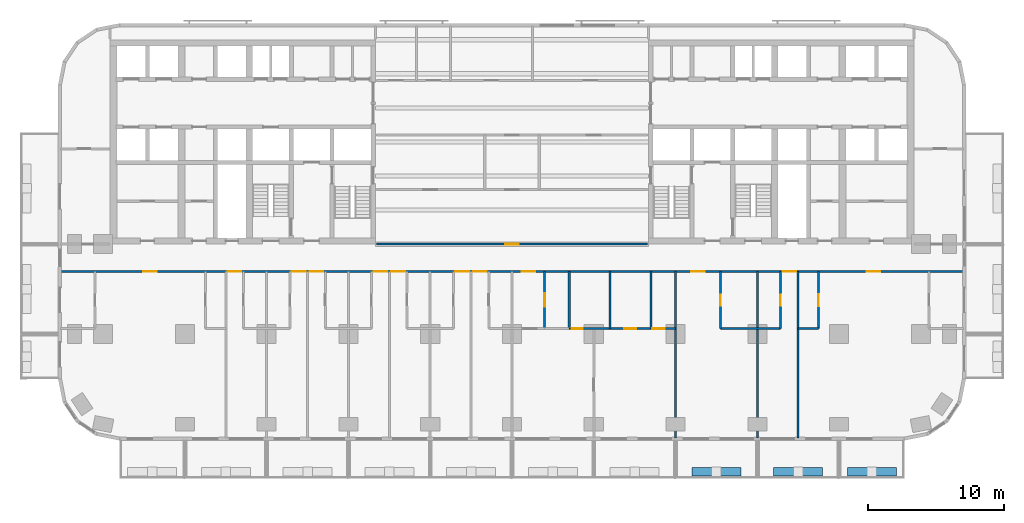
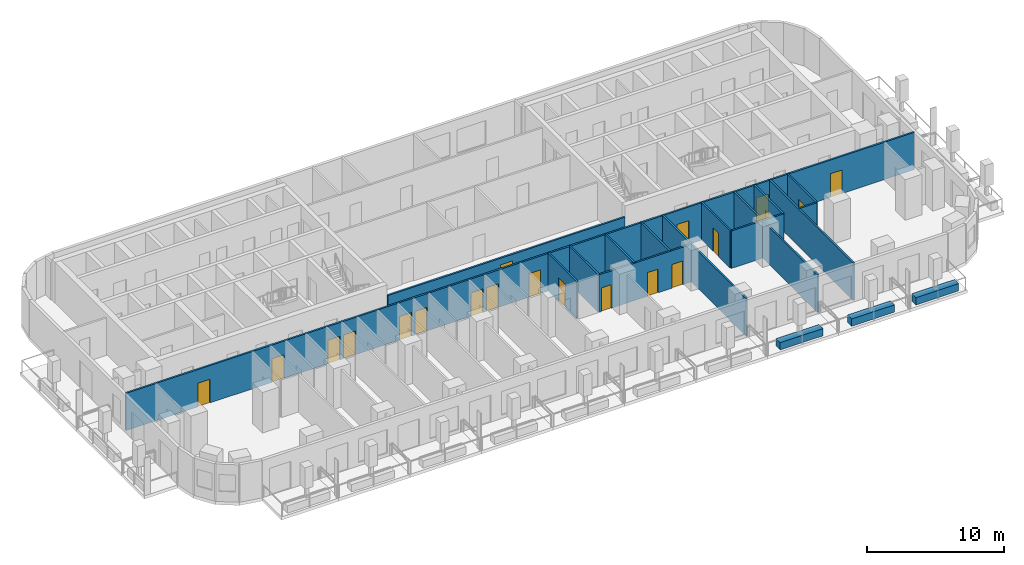
# One storey, part 6 of 14: 20 doors, 18 walls, 20 openings.
"""IFC4 building model written with IfcOpenShell, lengths in metres."""

from ifc_helpers import new_model, si_unit, direction, frame, frame_2d, origin, place, context, subcontext, project, spatial, rectangle, extrude, material, layer, layer_set, type_object, element, fill, save


model = new_model("IFC4")

# Units and contexts
model_context = context("Model", 3, precision=1e-05, world=origin(), true_north=direction((0.0, 1.0)))
body_context = subcontext(model_context, "Body", "Model", "MODEL_VIEW")
ifc_project = project(units=[si_unit("LENGTHUNIT", "METRE"), si_unit("AREAUNIT", "SQUARE_METRE"), si_unit("VOLUMEUNIT", "CUBIC_METRE"), si_unit("PLANEANGLEUNIT", "RADIAN"), si_unit("MASSUNIT", "GRAM", prefix="KILO")], contexts=[model_context])

# Site, building, storey
site_placement = place(None, origin())
site = spatial("IfcSite", under=ifc_project, at=site_placement, CompositionType="ELEMENT")
building_placement = place(site_placement, origin())
building = spatial("IfcBuilding", under=site, at=building_placement, Name="Torana Hotel and Residences", CompositionType="ELEMENT")
storey_placement = place(building_placement, frame((0.0, 0.0, 63.60009765625)))
storey = spatial("IfcBuildingStorey", under=building, at=storey_placement, Name="L15", CompositionType="ELEMENT", Elevation=63.60009765625)

# Wall, opening, door
ifc_material_1 = material(Name="Gypsum plaster")
ifc_layer_1 = layer(ifc_material_1, 0.014892578125, Name="Plaster", Category="finish")
ifc_material_2 = material(Name="Concrete blockwork", Category="masonry")
ifc_layer_2 = layer(ifc_material_2, 0.1201171875, Name="Blockwork", Category="structure")
ifc_layer_3 = layer(ifc_material_1, 0.014892578125, Name="Plaster", Category="finish")
ifc_layer_set_1 = layer_set([ifc_layer_1, ifc_layer_2, ifc_layer_3], Name="FIRE PARTITION 150 BLOCKWORK")
wall_type_1 = type_object("IfcWallType", Name="FIRE PARTITION 150 BLOCKWORK", PredefinedType="PARTITIONING", material=ifc_layer_set_1)
wall_1_placement = place(storey_placement, frame((2.39990234375, -21.199951171875, 0.0), z_axis=(0.0, 0.0, 1.0), x_axis=(0.0, 1.0, 0.0)))
wall_1 = element("IfcWall", 1, at=wall_1_placement, inside=storey, type_object=wall_type_1, Name="Partition L15", PredefinedType="PARTITIONING", context=body_context, shape_type="SweptSolid", body=[
    extrude(rectangle(XDim=4.199951171875, YDim=0.14990234375, at=frame_2d((2.10009765625, 0.0))), origin(), (0.0, 0.0, 1.0), 3.31982421875),
])
opening_1_placement = place(wall_1_placement, frame((1.60009765625, 0.0, 0.0)))
opening_1 = element("IfcOpeningElement", 2, at=opening_1_placement, cuts=wall_1, Name="Opening L15-69", PredefinedType="OPENING", context=body_context, shape_type="SweptSolid", body=[
    extrude(rectangle(XDim=1.0, YDim=2.10009765625, at=frame_2d((0.5, 1.050048828125))), frame((0.0, 0.0849609375, 0.0), z_axis=(0.0, -1.0, 0.0), x_axis=(1.0, 0.0, 0.0)), (0.0, 0.0, 1.0), 0.169921875),
])
ifc_material_3 = material(Name="Steel S235", Category="steel")
door_type_1 = type_object("IfcDoorType", Name="ENTRY FIRE DOOR D6 1000x2100", OperationType="SINGLE_SWING_LEFT", PredefinedType="DOOR", material=ifc_material_3)
door_1_placement = place(opening_1_placement, frame((0.5, 0.0, 0.0), z_axis=(0.0, 0.0, 1.0), x_axis=(-1.0, 0.0, 0.0)))
door_1 = element("IfcDoor", 3, at=door_1_placement, inside=storey, type_object=door_type_1, Name="Door L15", OperationType="SINGLE_SWING_LEFT", OverallHeight=2.10009765625, OverallWidth=1.0, PredefinedType="DOOR", context=body_context, shape_type="SweptSolid", body=[
    extrude(rectangle(XDim=1.0, YDim=2.10009765625, at=frame_2d((0.0, 1.050048828125))), frame((0.0, -0.02490234375, 0.0), z_axis=(0.0, 1.0, 0.0), x_axis=(-1.0, 0.0, 0.0)), (0.0, 0.0, 1.0), 0.050048828125),
])
fill(opening_1, door_1)

# Wall, openings, doors
wall_2_placement = place(storey_placement, frame((-33.1201171875, -17.0, 0.0), z_axis=(0.0, 0.0, 1.0), x_axis=(1.0, 0.0, 0.0)))
wall_2 = element("IfcWall", 4, at=wall_2_placement, inside=storey, type_object=wall_type_1, Name="Partition L15", PredefinedType="PARTITIONING", context=body_context, shape_type="SweptSolid", body=[
    extrude(rectangle(XDim=66.240234375, YDim=0.14990234375, at=frame_2d((33.1201171875, 0.0))), origin(), (0.0, 0.0, 1.0), 3.31982421875),
])
opening_2_placement = place(wall_2_placement, frame((12.27001953125, 0.0, 0.0)))
opening_2 = element("IfcOpeningElement", 5, at=opening_2_placement, cuts=wall_2, Name="Opening L15-40", PredefinedType="OPENING", context=body_context, shape_type="SweptSolid", body=[
    extrude(rectangle(XDim=1.0, YDim=2.10009765625, at=frame_2d((0.5, 1.050048828125))), frame((0.0, 0.0849609375, 0.0), z_axis=(0.0, -1.0, 0.0), x_axis=(1.0, 0.0, 0.0)), (0.0, 0.0, 1.0), 0.169921875),
])
opening_3_placement = place(wall_2_placement, frame((16.969970703125, 0.0, 0.0)))
opening_3 = element("IfcOpeningElement", 6, at=opening_3_placement, cuts=wall_2, Name="Opening L15-41", PredefinedType="OPENING", context=body_context, shape_type="SweptSolid", body=[
    extrude(rectangle(XDim=1.0, YDim=2.10009765625, at=frame_2d((0.5, 1.050048828125))), frame((0.0, 0.0849609375, 0.0), z_axis=(0.0, -1.0, 0.0), x_axis=(1.0, 0.0, 0.0)), (0.0, 0.0, 1.0), 0.169921875),
])
opening_4_placement = place(wall_2_placement, frame((18.27001953125, 0.0, 0.0)))
opening_4 = element("IfcOpeningElement", 7, at=opening_4_placement, cuts=wall_2, Name="Opening L15-42", PredefinedType="OPENING", context=body_context, shape_type="SweptSolid", body=[
    extrude(rectangle(XDim=1.0, YDim=2.10009765625, at=frame_2d((0.5, 1.050048828125))), frame((0.0, 0.0849609375, 0.0), z_axis=(0.0, -1.0, 0.0), x_axis=(1.0, 0.0, 0.0)), (0.0, 0.0, 1.0), 0.169921875),
])
opening_5_placement = place(wall_2_placement, frame((22.969970703125, 0.0, 0.0)))
opening_5 = element("IfcOpeningElement", 8, at=opening_5_placement, cuts=wall_2, Name="Opening L15-43", PredefinedType="OPENING", context=body_context, shape_type="SweptSolid", body=[
    extrude(rectangle(XDim=1.0, YDim=2.10009765625, at=frame_2d((0.5, 1.050048828125))), frame((0.0, 0.0849609375, 0.0), z_axis=(0.0, -1.0, 0.0), x_axis=(1.0, 0.0, 0.0)), (0.0, 0.0, 1.0), 0.169921875),
])
opening_6_placement = place(wall_2_placement, frame((24.27001953125, 0.0, 0.0)))
opening_6 = element("IfcOpeningElement", 9, at=opening_6_placement, cuts=wall_2, Name="Opening L15-44", PredefinedType="OPENING", context=body_context, shape_type="SweptSolid", body=[
    extrude(rectangle(XDim=1.0, YDim=2.10009765625, at=frame_2d((0.5, 1.050048828125))), frame((0.0, 0.0849609375, 0.0), z_axis=(0.0, -1.0, 0.0), x_axis=(1.0, 0.0, 0.0)), (0.0, 0.0, 1.0), 0.169921875),
])
opening_7_placement = place(wall_2_placement, frame((28.969970703125, 0.0, 0.0)))
opening_7 = element("IfcOpeningElement", 10, at=opening_7_placement, cuts=wall_2, Name="Opening L15-45", PredefinedType="OPENING", context=body_context, shape_type="SweptSolid", body=[
    extrude(rectangle(XDim=1.0, YDim=2.10009765625, at=frame_2d((0.5, 1.050048828125))), frame((0.0, 0.0849609375, 0.0), z_axis=(0.0, -1.0, 0.0), x_axis=(1.0, 0.0, 0.0)), (0.0, 0.0, 1.0), 0.169921875),
])
opening_8_placement = place(wall_2_placement, frame((30.27001953125, 0.0, 0.0)))
opening_8 = element("IfcOpeningElement", 11, at=opening_8_placement, cuts=wall_2, Name="Opening L15-46", PredefinedType="OPENING", context=body_context, shape_type="SweptSolid", body=[
    extrude(rectangle(XDim=1.0, YDim=2.10009765625, at=frame_2d((0.5, 1.050048828125))), frame((0.0, 0.0849609375, 0.0), z_axis=(0.0, -1.0, 0.0), x_axis=(1.0, 0.0, 0.0)), (0.0, 0.0, 1.0), 0.169921875),
])
opening_9_placement = place(wall_2_placement, frame((33.820068359375, 0.0, 0.0)))
opening_9 = element("IfcOpeningElement", 12, at=opening_9_placement, cuts=wall_2, Name="Opening L15-47", PredefinedType="OPENING", context=body_context, shape_type="SweptSolid", body=[
    extrude(rectangle(XDim=1.0, YDim=2.10009765625, at=frame_2d((0.5, 1.050048828125))), frame((0.0, 0.0849609375, 0.0), z_axis=(0.0, -1.0, 0.0), x_axis=(1.0, 0.0, 0.0)), (0.0, 0.0, 1.0), 0.169921875),
])
opening_10_placement = place(wall_2_placement, frame((46.27001953125, 0.0, 0.0)))
opening_10 = element("IfcOpeningElement", 13, at=opening_10_placement, cuts=wall_2, Name="Opening L15-48", PredefinedType="OPENING", context=body_context, shape_type="SweptSolid", body=[
    extrude(rectangle(XDim=1.0, YDim=2.10009765625, at=frame_2d((0.5, 1.050048828125))), frame((0.0, 0.0849609375, 0.0), z_axis=(0.0, -1.0, 0.0), x_axis=(1.0, 0.0, 0.0)), (0.0, 0.0, 1.0), 0.169921875),
])
opening_11_placement = place(wall_2_placement, frame((52.969970703125, 0.0, 0.0)))
opening_11 = element("IfcOpeningElement", 14, at=opening_11_placement, cuts=wall_2, Name="Opening L15-49", PredefinedType="OPENING", context=body_context, shape_type="SweptSolid", body=[
    extrude(rectangle(XDim=1.0, YDim=2.10009765625, at=frame_2d((0.5, 1.050048828125))), frame((0.0, 0.0849609375, 0.0), z_axis=(0.0, -1.0, 0.0), x_axis=(1.0, 0.0, 0.0)), (0.0, 0.0, 1.0), 0.169921875),
])
opening_12_placement = place(wall_2_placement, frame((6.050048828125, 0.0, 0.0)))
opening_12 = element("IfcOpeningElement", 15, at=opening_12_placement, cuts=wall_2, Name="Opening L15-50", PredefinedType="OPENING", context=body_context, shape_type="SweptSolid", body=[
    extrude(rectangle(XDim=1.0, YDim=2.10009765625, at=frame_2d((0.5, 1.050048828125))), frame((0.0, 0.0849609375, 0.0), z_axis=(0.0, -1.0, 0.0), x_axis=(1.0, 0.0, 0.0)), (0.0, 0.0, 1.0), 0.169921875),
])
opening_13_placement = place(wall_2_placement, frame((59.14990234375, 0.0, 0.0)))
opening_13 = element("IfcOpeningElement", 16, at=opening_13_placement, cuts=wall_2, Name="Opening L15-51", PredefinedType="OPENING", context=body_context, shape_type="SweptSolid", body=[
    extrude(rectangle(XDim=1.0, YDim=2.10009765625, at=frame_2d((0.5, 1.050048828125))), frame((0.0, 0.0849609375, 0.0), z_axis=(0.0, -1.0, 0.0), x_axis=(1.0, 0.0, 0.0)), (0.0, 0.0, 1.0), 0.169921875),
])
door_2_placement = place(opening_2_placement, frame((0.5, 0.0, 0.0), z_axis=(0.0, 0.0, 1.0), x_axis=(-1.0, 0.0, 0.0)))
door_2 = element("IfcDoor", 17, at=door_2_placement, inside=storey, type_object=door_type_1, Name="Door L15", OperationType="SINGLE_SWING_LEFT", OverallHeight=2.10009765625, OverallWidth=1.0, PredefinedType="DOOR", context=body_context, shape_type="SweptSolid", body=[
    extrude(rectangle(XDim=1.0, YDim=2.10009765625, at=frame_2d((0.0, 1.050048828125))), frame((0.0, -0.02490234375, 0.0), z_axis=(0.0, 1.0, 0.0), x_axis=(-1.0, 0.0, 0.0)), (0.0, 0.0, 1.0), 0.050048828125),
])
fill(opening_2, door_2)
door_3_placement = place(opening_3_placement, frame((0.5, 0.0, 0.0), z_axis=(0.0, 0.0, 1.0), x_axis=(-1.0, 0.0, 0.0)))
door_3 = element("IfcDoor", 18, at=door_3_placement, inside=storey, type_object=door_type_1, Name="Door L15", OperationType="SINGLE_SWING_LEFT", OverallHeight=2.10009765625, OverallWidth=1.0, PredefinedType="DOOR", context=body_context, shape_type="SweptSolid", body=[
    extrude(rectangle(XDim=1.0, YDim=2.10009765625, at=frame_2d((0.0, 1.050048828125))), frame((0.0, -0.02490234375, 0.0), z_axis=(0.0, 1.0, 0.0), x_axis=(-1.0, 0.0, 0.0)), (0.0, 0.0, 1.0), 0.050048828125),
])
fill(opening_3, door_3)
door_4_placement = place(opening_4_placement, frame((0.5, 0.0, 0.0), z_axis=(0.0, 0.0, 1.0), x_axis=(-1.0, 0.0, 0.0)))
door_4 = element("IfcDoor", 19, at=door_4_placement, inside=storey, type_object=door_type_1, Name="Door L15", OperationType="SINGLE_SWING_LEFT", OverallHeight=2.10009765625, OverallWidth=1.0, PredefinedType="DOOR", context=body_context, shape_type="SweptSolid", body=[
    extrude(rectangle(XDim=1.0, YDim=2.10009765625, at=frame_2d((0.0, 1.050048828125))), frame((0.0, -0.02490234375, 0.0), z_axis=(0.0, 1.0, 0.0), x_axis=(-1.0, 0.0, 0.0)), (0.0, 0.0, 1.0), 0.050048828125),
])
fill(opening_4, door_4)
door_5_placement = place(opening_5_placement, frame((0.5, 0.0, 0.0), z_axis=(0.0, 0.0, 1.0), x_axis=(-1.0, 0.0, 0.0)))
door_5 = element("IfcDoor", 20, at=door_5_placement, inside=storey, type_object=door_type_1, Name="Door L15", OperationType="SINGLE_SWING_LEFT", OverallHeight=2.10009765625, OverallWidth=1.0, PredefinedType="DOOR", context=body_context, shape_type="SweptSolid", body=[
    extrude(rectangle(XDim=1.0, YDim=2.10009765625, at=frame_2d((0.0, 1.050048828125))), frame((0.0, -0.02490234375, 0.0), z_axis=(0.0, 1.0, 0.0), x_axis=(-1.0, 0.0, 0.0)), (0.0, 0.0, 1.0), 0.050048828125),
])
fill(opening_5, door_5)
door_6_placement = place(opening_6_placement, frame((0.5, 0.0, 0.0), z_axis=(0.0, 0.0, 1.0), x_axis=(-1.0, 0.0, 0.0)))
door_6 = element("IfcDoor", 21, at=door_6_placement, inside=storey, type_object=door_type_1, Name="Door L15", OperationType="SINGLE_SWING_LEFT", OverallHeight=2.10009765625, OverallWidth=1.0, PredefinedType="DOOR", context=body_context, shape_type="SweptSolid", body=[
    extrude(rectangle(XDim=1.0, YDim=2.10009765625, at=frame_2d((0.0, 1.050048828125))), frame((0.0, -0.02490234375, 0.0), z_axis=(0.0, 1.0, 0.0), x_axis=(-1.0, 0.0, 0.0)), (0.0, 0.0, 1.0), 0.050048828125),
])
fill(opening_6, door_6)
door_7_placement = place(opening_7_placement, frame((0.5, 0.0, 0.0), z_axis=(0.0, 0.0, 1.0), x_axis=(-1.0, 0.0, 0.0)))
door_7 = element("IfcDoor", 22, at=door_7_placement, inside=storey, type_object=door_type_1, Name="Door L15", OperationType="SINGLE_SWING_LEFT", OverallHeight=2.10009765625, OverallWidth=1.0, PredefinedType="DOOR", context=body_context, shape_type="SweptSolid", body=[
    extrude(rectangle(XDim=1.0, YDim=2.10009765625, at=frame_2d((0.0, 1.050048828125))), frame((0.0, -0.02490234375, 0.0), z_axis=(0.0, 1.0, 0.0), x_axis=(-1.0, 0.0, 0.0)), (0.0, 0.0, 1.0), 0.050048828125),
])
fill(opening_7, door_7)
door_8_placement = place(opening_8_placement, frame((0.5, 0.0, 0.0), z_axis=(0.0, 0.0, 1.0), x_axis=(-1.0, 0.0, 0.0)))
door_8 = element("IfcDoor", 23, at=door_8_placement, inside=storey, type_object=door_type_1, Name="Door L15", OperationType="SINGLE_SWING_LEFT", OverallHeight=2.10009765625, OverallWidth=1.0, PredefinedType="DOOR", context=body_context, shape_type="SweptSolid", body=[
    extrude(rectangle(XDim=1.0, YDim=2.10009765625, at=frame_2d((0.0, 1.050048828125))), frame((0.0, -0.02490234375, 0.0), z_axis=(0.0, 1.0, 0.0), x_axis=(-1.0, 0.0, 0.0)), (0.0, 0.0, 1.0), 0.050048828125),
])
fill(opening_8, door_8)
door_9_placement = place(opening_9_placement, origin())
door_9 = element("IfcDoor", 24, at=door_9_placement, inside=storey, type_object=door_type_1, Name="Door L15", OperationType="SINGLE_SWING_RIGHT", OverallHeight=2.10009765625, OverallWidth=1.0, PredefinedType="DOOR", context=body_context, shape_type="SweptSolid", body=[
    extrude(rectangle(XDim=1.0, YDim=2.10009765625, at=frame_2d((0.5, 1.050048828125))), frame((0.0, 0.02490234375, 0.0), z_axis=(0.0, -1.0, 0.0), x_axis=(1.0, 0.0, 0.0)), (0.0, 0.0, 1.0), 0.050048828125),
])
fill(opening_9, door_9)
door_10_placement = place(opening_10_placement, frame((0.5, 0.0, 0.0), z_axis=(0.0, 0.0, 1.0), x_axis=(-1.0, 0.0, 0.0)))
door_10 = element("IfcDoor", 25, at=door_10_placement, inside=storey, type_object=door_type_1, Name="Door L15", OperationType="SINGLE_SWING_LEFT", OverallHeight=2.10009765625, OverallWidth=1.0, PredefinedType="DOOR", context=body_context, shape_type="SweptSolid", body=[
    extrude(rectangle(XDim=1.0, YDim=2.10009765625, at=frame_2d((0.0, 1.050048828125))), frame((0.0, -0.02490234375, 0.0), z_axis=(0.0, 1.0, 0.0), x_axis=(-1.0, 0.0, 0.0)), (0.0, 0.0, 1.0), 0.050048828125),
])
fill(opening_10, door_10)
door_11_placement = place(opening_11_placement, frame((0.5, 0.0, 0.0), z_axis=(0.0, 0.0, 1.0), x_axis=(-1.0, 0.0, 0.0)))
door_11 = element("IfcDoor", 26, at=door_11_placement, inside=storey, type_object=door_type_1, Name="Door L15", OperationType="SINGLE_SWING_LEFT", OverallHeight=2.10009765625, OverallWidth=1.0, PredefinedType="DOOR", context=body_context, shape_type="SweptSolid", body=[
    extrude(rectangle(XDim=1.0, YDim=2.10009765625, at=frame_2d((0.0, 1.050048828125))), frame((0.0, -0.02490234375, 0.0), z_axis=(0.0, 1.0, 0.0), x_axis=(-1.0, 0.0, 0.0)), (0.0, 0.0, 1.0), 0.050048828125),
])
fill(opening_11, door_11)
door_12_placement = place(opening_12_placement, frame((0.5, 0.0, 0.0), z_axis=(0.0, 0.0, 1.0), x_axis=(-1.0, 0.0, 0.0)))
door_12 = element("IfcDoor", 27, at=door_12_placement, inside=storey, type_object=door_type_1, Name="Door L15", OperationType="SINGLE_SWING_LEFT", OverallHeight=2.10009765625, OverallWidth=1.0, PredefinedType="DOOR", context=body_context, shape_type="SweptSolid", body=[
    extrude(rectangle(XDim=1.0, YDim=2.10009765625, at=frame_2d((0.0, 1.050048828125))), frame((0.0, -0.02490234375, 0.0), z_axis=(0.0, 1.0, 0.0), x_axis=(-1.0, 0.0, 0.0)), (0.0, 0.0, 1.0), 0.050048828125),
])
fill(opening_12, door_12)
door_13_placement = place(opening_13_placement, frame((0.5, 0.0, 0.0), z_axis=(0.0, 0.0, 1.0), x_axis=(-1.0, 0.0, 0.0)))
door_13 = element("IfcDoor", 28, at=door_13_placement, inside=storey, type_object=door_type_1, Name="Door L15", OperationType="SINGLE_SWING_LEFT", OverallHeight=2.10009765625, OverallWidth=1.0, PredefinedType="DOOR", context=body_context, shape_type="SweptSolid", body=[
    extrude(rectangle(XDim=1.0, YDim=2.10009765625, at=frame_2d((0.0, 1.050048828125))), frame((0.0, -0.02490234375, 0.0), z_axis=(0.0, 1.0, 0.0), x_axis=(-1.0, 0.0, 0.0)), (0.0, 0.0, 1.0), 0.050048828125),
])
fill(opening_13, door_13)

# Wall, opening, door
wall_3_placement = place(storey_placement, frame((-9.949951171875, -15.0, 0.0), z_axis=(0.0, 0.0, 1.0), x_axis=(1.0, 0.0, 0.0)))
wall_3 = element("IfcWall", 29, at=wall_3_placement, inside=storey, type_object=wall_type_1, Name="Partition L15", PredefinedType="PARTITIONING", context=body_context, shape_type="SweptSolid", body=[
    extrude(rectangle(XDim=19.89990234375, YDim=0.14990234375, at=frame_2d((9.949951171875, 0.0))), origin(), (0.0, 0.0, 1.0), 2.683837890625),
])
opening_14_placement = place(wall_3_placement, frame((9.449951171875, 0.0, 0.0)))
opening_14 = element("IfcOpeningElement", 30, at=opening_14_placement, cuts=wall_3, Name="Opening L15-39", PredefinedType="OPENING", context=body_context, shape_type="SweptSolid", body=[
    extrude(rectangle(XDim=1.0, YDim=2.10009765625, at=frame_2d((0.5, 1.050048828125))), frame((0.0, 0.0849609375, 0.0), z_axis=(0.0, -1.0, 0.0), x_axis=(1.0, 0.0, 0.0)), (0.0, 0.0, 1.0), 0.169921875),
])
door_14_placement = place(opening_14_placement, origin())
door_14 = element("IfcDoor", 31, at=door_14_placement, inside=storey, type_object=door_type_1, Name="Door L15", OperationType="SINGLE_SWING_RIGHT", OverallHeight=2.10009765625, OverallWidth=1.0, PredefinedType="DOOR", context=body_context, shape_type="SweptSolid", body=[
    extrude(rectangle(XDim=1.0, YDim=2.10009765625, at=frame_2d((0.5, 1.050048828125))), frame((0.0, 0.02490234375, 0.0), z_axis=(0.0, -1.0, 0.0), x_axis=(1.0, 0.0, 0.0)), (0.0, 0.0, 1.0), 0.050048828125),
])
fill(opening_14, door_14)

ifc_material_4 = material(Name="Gypsum plasterboard")
ifc_layer_4 = layer(ifc_material_4, 0.012451171875, Name="Plasterboard", Category="finish")
ifc_layer_5 = layer(ifc_material_4, 0.012451171875, Name="Plasterboard", Category="finish")
ifc_material_5 = material(Name="Steel S280GD", Category="steel")
ifc_layer_6 = layer(ifc_material_5, 0.10009765625, Name="Steel studs with mineral wool", Category="insulation")
ifc_layer_7 = layer(ifc_material_4, 0.012451171875, Name="Plasterboard", Category="finish")
ifc_layer_8 = layer(ifc_material_4, 0.012451171875, Name="Plasterboard", Category="finish")
ifc_layer_set_2 = layer_set([ifc_layer_4, ifc_layer_5, ifc_layer_6, ifc_layer_7, ifc_layer_8], Name="PARTITION 150 PLASTERBOARD")
wall_type_2 = type_object("IfcWallType", Name="PARTITION 150 PLASTERBOARD", PredefinedType="PARTITIONING", material=ifc_layer_set_2)
wall_4_placement = place(storey_placement, frame((22.5, -21.199951171875, 0.0), z_axis=(0.0, 0.0, 1.0), x_axis=(0.0, 1.0, 0.0)))
wall_4 = element("IfcWall", 32, at=wall_4_placement, inside=storey, type_object=wall_type_2, Name="Partition L15", PredefinedType="PARTITIONING", context=body_context, shape_type="SweptSolid", body=[
    extrude(rectangle(XDim=4.199951171875, YDim=0.14990234375, at=frame_2d((2.10009765625, 0.0))), origin(), (0.0, 0.0, 1.0), 3.31982421875),
])
opening_15_placement = place(wall_4_placement, frame((1.6298828125, 0.0, 0.0)))
opening_15 = element("IfcOpeningElement", 33, at=opening_15_placement, cuts=wall_4, Name="Opening L15-79", PredefinedType="OPENING", context=body_context, shape_type="SweptSolid", body=[
    extrude(rectangle(XDim=0.89990234375, YDim=2.10009765625, at=frame_2d((0.449951171875, 1.050048828125))), frame((0.0, 0.0849609375, 0.0), z_axis=(0.0, -1.0, 0.0), x_axis=(1.0, 0.0, 0.0)), (0.0, 0.0, 1.0), 0.169921875),
])
ifc_material_6 = material(Name="Timber door, oiled ash", Category="wood")
door_type_2 = type_object("IfcDoorType", Name="ROOM DOOR D7 900x2100", OperationType="SINGLE_SWING_LEFT", PredefinedType="DOOR", material=ifc_material_6)
door_15_placement = place(opening_15_placement, origin())
door_15 = element("IfcDoor", 34, at=door_15_placement, inside=storey, type_object=door_type_2, Name="Door L15", OperationType="SINGLE_SWING_RIGHT", OverallHeight=2.10009765625, OverallWidth=0.89990234375, PredefinedType="DOOR", context=body_context, shape_type="SweptSolid", body=[
    extrude(rectangle(XDim=0.89990234375, YDim=2.10009765625, at=frame_2d((0.449951171875, 1.050048828125))), frame((0.0, 0.02490234375, 0.0), z_axis=(0.0, -1.0, 0.0), x_axis=(1.0, 0.0, 0.0)), (0.0, 0.0, 1.0), 0.050048828125),
])
fill(opening_15, door_15)

# Wall
wall_5_placement = place(storey_placement, frame((21.0, -29.219970703125, 0.0), z_axis=(0.0, 0.0, 1.0), x_axis=(0.0, 1.0, 0.0)))
element("IfcWall", 35, at=wall_5_placement, inside=storey, type_object=wall_type_2, Name="Partition L15", PredefinedType="PARTITIONING", context=body_context, shape_type="SweptSolid", body=[
    extrude(rectangle(XDim=12.219970703125, YDim=0.14990234375, at=frame_2d((6.10986328125, 0.0))), origin(), (0.0, 0.0, 1.0), 3.31982421875),
])

# Wall, opening, door
wall_6_placement = place(storey_placement, frame((19.699951171875, -21.199951171875, 0.0), z_axis=(0.0, 0.0, 1.0), x_axis=(0.0, 1.0, 0.0)))
wall_6 = element("IfcWall", 36, at=wall_6_placement, inside=storey, type_object=wall_type_2, Name="Partition L15", PredefinedType="PARTITIONING", context=body_context, shape_type="SweptSolid", body=[
    extrude(rectangle(XDim=4.199951171875, YDim=0.14990234375, at=frame_2d((2.10009765625, 0.0))), origin(), (0.0, 0.0, 1.0), 3.31982421875),
])
opening_16_placement = place(wall_6_placement, frame((1.679931640625, 0.0, 0.0)))
opening_16 = element("IfcOpeningElement", 37, at=opening_16_placement, cuts=wall_6, Name="Opening L15-76", PredefinedType="OPENING", context=body_context, shape_type="SweptSolid", body=[
    extrude(rectangle(XDim=0.800048828125, YDim=2.10009765625, at=frame_2d((0.39990234375, 1.050048828125))), frame((0.0, 0.0849609375, 0.0), z_axis=(0.0, -1.0, 0.0), x_axis=(1.0, 0.0, 0.0)), (0.0, 0.0, 1.0), 0.169921875),
])
ifc_material_7 = material(Name="Timber door, painted", Category="wood")
door_type_3 = type_object("IfcDoorType", Name="BATH DOOR D13 800x2100", OperationType="SINGLE_SWING_LEFT", PredefinedType="DOOR", material=ifc_material_7)
door_16_placement = place(opening_16_placement, origin())
door_16 = element("IfcDoor", 38, at=door_16_placement, inside=storey, type_object=door_type_3, Name="Door L15", OperationType="SINGLE_SWING_RIGHT", OverallHeight=2.10009765625, OverallWidth=0.800048828125, PredefinedType="DOOR", context=body_context, shape_type="SweptSolid", body=[
    extrude(rectangle(XDim=0.800048828125, YDim=2.10009765625, at=frame_2d((0.39990234375, 1.050048828125))), frame((0.0, 0.02490234375, 0.0), z_axis=(0.0, -1.0, 0.0), x_axis=(1.0, 0.0, 0.0)), (0.0, 0.0, 1.0), 0.050048828125),
])
fill(opening_16, door_16)

# Wall
wall_7_placement = place(storey_placement, frame((18.0, -29.219970703125, 0.0), z_axis=(0.0, 0.0, 1.0), x_axis=(0.0, 1.0, 0.0)))
element("IfcWall", 39, at=wall_7_placement, inside=storey, type_object=wall_type_2, Name="Partition L15", PredefinedType="PARTITIONING", context=body_context, shape_type="SweptSolid", body=[
    extrude(rectangle(XDim=12.219970703125, YDim=0.14990234375, at=frame_2d((6.10986328125, 0.0))), origin(), (0.0, 0.0, 1.0), 3.31982421875),
])

# Wall, opening, door
wall_8_placement = place(storey_placement, frame((15.300048828125, -21.199951171875, 0.0), z_axis=(0.0, 0.0, 1.0), x_axis=(0.0, 1.0, 0.0)))
wall_8 = element("IfcWall", 40, at=wall_8_placement, inside=storey, type_object=wall_type_2, Name="Partition L15", PredefinedType="PARTITIONING", context=body_context, shape_type="SweptSolid", body=[
    extrude(rectangle(XDim=4.199951171875, YDim=0.14990234375, at=frame_2d((2.10009765625, 0.0))), origin(), (0.0, 0.0, 1.0), 3.31982421875),
])
opening_17_placement = place(wall_8_placement, frame((1.699951171875, 0.0, 0.0)))
opening_17 = element("IfcOpeningElement", 41, at=opening_17_placement, cuts=wall_8, Name="Opening L15-75", PredefinedType="OPENING", context=body_context, shape_type="SweptSolid", body=[
    extrude(rectangle(XDim=0.800048828125, YDim=2.10009765625, at=frame_2d((0.39990234375, 1.050048828125))), frame((0.0, 0.0849609375, 0.0), z_axis=(0.0, -1.0, 0.0), x_axis=(1.0, 0.0, 0.0)), (0.0, 0.0, 1.0), 0.169921875),
])
door_17_placement = place(opening_17_placement, origin())
door_17 = element("IfcDoor", 42, at=door_17_placement, inside=storey, type_object=door_type_3, Name="Door L15", OperationType="SINGLE_SWING_RIGHT", OverallHeight=2.10009765625, OverallWidth=0.800048828125, PredefinedType="DOOR", context=body_context, shape_type="SweptSolid", body=[
    extrude(rectangle(XDim=0.800048828125, YDim=2.10009765625, at=frame_2d((0.39990234375, 1.050048828125))), frame((0.0, 0.02490234375, 0.0), z_axis=(0.0, -1.0, 0.0), x_axis=(1.0, 0.0, 0.0)), (0.0, 0.0, 1.0), 0.050048828125),
])
fill(opening_17, door_17)

# Walls
wall_9_placement = place(storey_placement, frame((12.0, -29.219970703125, 0.0), z_axis=(0.0, 0.0, 1.0), x_axis=(0.0, 1.0, 0.0)))
element("IfcWall", 43, at=wall_9_placement, inside=storey, type_object=wall_type_2, Name="Partition L15", PredefinedType="PARTITIONING", context=body_context, shape_type="SweptSolid", body=[
    extrude(rectangle(XDim=12.219970703125, YDim=0.14990234375, at=frame_2d((6.10986328125, 0.0))), origin(), (0.0, 0.0, 1.0), 3.31982421875),
])
for number, where, z_axis, x_axis, name in (
    (44, (10.199951171875, -21.199951171875, 0.0), (0.0, 0.0, 1.0), (0.0, 1.0, 0.0), "Partition L15"),
    (45, (7.199951171875, -21.199951171875, 0.0), (0.0, 0.0, 1.0), (0.0, 1.0, 0.0), "Partition L15"),
):
    element("IfcWall", number, at=place(storey_placement, frame(where, z_axis=z_axis, x_axis=x_axis)), inside=storey, type_object=wall_type_2, Name=name, PredefinedType="PARTITIONING", context=body_context, shape_type="SweptSolid", body=[
        extrude(rectangle(XDim=4.199951171875, YDim=0.14990234375, at=frame_2d((2.10009765625, 0.0))), origin(), (0.0, 0.0, 1.0), 3.31982421875),
    ])

# Wall, openings, doors
wall_10_placement = place(storey_placement, frame((4.199951171875, -21.199951171875, 0.0), z_axis=(0.0, 0.0, 1.0), x_axis=(1.0, 0.0, 0.0)))
wall_10 = element("IfcWall", 46, at=wall_10_placement, inside=storey, type_object=wall_type_2, Name="Partition L15", PredefinedType="PARTITIONING", context=body_context, shape_type="SweptSolid", body=[
    extrude(rectangle(XDim=7.800048828125, YDim=0.14990234375, at=frame_2d((3.89990234375, 0.0))), origin(), (0.0, 0.0, 1.0), 3.31982421875),
])
opening_18_placement = place(wall_10_placement, frame((0.199951171875, 0.0, 0.0)))
opening_18 = element("IfcOpeningElement", 47, at=opening_18_placement, cuts=wall_10, Name="Opening L15-71", PredefinedType="OPENING", context=body_context, shape_type="SweptSolid", body=[
    extrude(rectangle(XDim=0.800048828125, YDim=2.10009765625, at=frame_2d((0.39990234375, 1.050048828125))), frame((0.0, 0.0849609375, 0.0), z_axis=(0.0, -1.0, 0.0), x_axis=(1.0, 0.0, 0.0)), (0.0, 0.0, 1.0), 0.169921875),
])
opening_19_placement = place(wall_10_placement, frame((4.030029296875, 0.0, 0.0)))
opening_19 = element("IfcOpeningElement", 48, at=opening_19_placement, cuts=wall_10, Name="Opening L15-72", PredefinedType="OPENING", context=body_context, shape_type="SweptSolid", body=[
    extrude(rectangle(XDim=0.89990234375, YDim=2.10009765625, at=frame_2d((0.449951171875, 1.050048828125))), frame((0.0, 0.0849609375, 0.0), z_axis=(0.0, -1.0, 0.0), x_axis=(1.0, 0.0, 0.0)), (0.0, 0.0, 1.0), 0.169921875),
])
opening_20_placement = place(wall_10_placement, frame((6.10009765625, 0.0, 0.0)))
opening_20 = element("IfcOpeningElement", 49, at=opening_20_placement, cuts=wall_10, Name="Opening L15-73", PredefinedType="OPENING", context=body_context, shape_type="SweptSolid", body=[
    extrude(rectangle(XDim=0.89990234375, YDim=2.10009765625, at=frame_2d((0.449951171875, 1.050048828125))), frame((0.0, 0.0849609375, 0.0), z_axis=(0.0, -1.0, 0.0), x_axis=(1.0, 0.0, 0.0)), (0.0, 0.0, 1.0), 0.169921875),
])
door_18_placement = place(opening_18_placement, origin())
door_18 = element("IfcDoor", 50, at=door_18_placement, inside=storey, type_object=door_type_3, Name="Door L15", OperationType="SINGLE_SWING_LEFT", OverallHeight=2.10009765625, OverallWidth=0.800048828125, PredefinedType="DOOR", context=body_context, shape_type="SweptSolid", body=[
    extrude(rectangle(XDim=0.800048828125, YDim=2.10009765625, at=frame_2d((0.39990234375, 1.050048828125))), frame((0.0, 0.02490234375, 0.0), z_axis=(0.0, -1.0, 0.0), x_axis=(1.0, 0.0, 0.0)), (0.0, 0.0, 1.0), 0.050048828125),
])
fill(opening_18, door_18)
door_19_placement = place(opening_19_placement, origin())
door_19 = element("IfcDoor", 51, at=door_19_placement, inside=storey, type_object=door_type_2, Name="Door L15", OperationType="SINGLE_SWING_RIGHT", OverallHeight=2.10009765625, OverallWidth=0.89990234375, PredefinedType="DOOR", context=body_context, shape_type="SweptSolid", body=[
    extrude(rectangle(XDim=0.89990234375, YDim=2.10009765625, at=frame_2d((0.449951171875, 1.050048828125))), frame((0.0, 0.02490234375, 0.0), z_axis=(0.0, -1.0, 0.0), x_axis=(1.0, 0.0, 0.0)), (0.0, 0.0, 1.0), 0.050048828125),
])
fill(opening_19, door_19)
door_20_placement = place(opening_20_placement, frame((0.449951171875, 0.0, 0.0), z_axis=(0.0, 0.0, 1.0), x_axis=(-1.0, 0.0, 0.0)))
door_20 = element("IfcDoor", 52, at=door_20_placement, inside=storey, type_object=door_type_2, Name="Door L15", OperationType="SINGLE_SWING_RIGHT", OverallHeight=2.10009765625, OverallWidth=0.89990234375, PredefinedType="DOOR", context=body_context, shape_type="SweptSolid", body=[
    extrude(rectangle(XDim=0.89990234375, YDim=2.10009765625, at=frame_2d((0.0, 1.050048828125))), frame((0.0, -0.02490234375, 0.0), z_axis=(0.0, 1.0, 0.0), x_axis=(-1.0, 0.0, 0.0)), (0.0, 0.0, 1.0), 0.050048828125),
])
fill(opening_20, door_20)

# Walls
wall_11_placement = place(storey_placement, frame((15.300048828125, -21.199951171875, 0.0), z_axis=(0.0, 0.0, 1.0), x_axis=(1.0, 0.0, 0.0)))
element("IfcWall", 53, at=wall_11_placement, inside=storey, type_object=wall_type_2, Name="Partition L15", PredefinedType="PARTITIONING", context=body_context, shape_type="SweptSolid", body=[
    extrude(rectangle(XDim=4.39990234375, YDim=0.14990234375, at=frame_2d((2.199951171875, 0.0))), origin(), (0.0, 0.0, 1.0), 3.31982421875),
])
wall_12_placement = place(storey_placement, frame((21.0, -21.199951171875, 0.0), z_axis=(0.0, 0.0, 1.0), x_axis=(1.0, 0.0, 0.0)))
element("IfcWall", 54, at=wall_12_placement, inside=storey, type_object=wall_type_2, Name="Partition L15", PredefinedType="PARTITIONING", context=body_context, shape_type="SweptSolid", body=[
    extrude(rectangle(XDim=1.5, YDim=0.14990234375, at=frame_2d((0.75, 0.0))), origin(), (0.0, 0.0, 1.0), 3.31982421875),
])
ifc_material_8 = material(Name="Concrete C40/50 precast", Category="concrete")
ifc_layer_9 = layer(ifc_material_8, 0.10009765625, Name="Planter shell", Category="structure")
ifc_material_9 = material(Name="Root resistant membrane")
ifc_layer_10 = layer(ifc_material_9, 0.00390625, Name="Waterproofing membrane", Category="membrane")
ifc_material_10 = material(Name="Drainage board with filter fleece")
ifc_layer_11 = layer(ifc_material_10, 0.02001953125, Name="Drainage board", Category="drainage")
ifc_material_11 = material(Name="Growing medium")
ifc_layer_12 = layer(ifc_material_11, 0.47607421875, Name="Planting substrate", Category="soil")
ifc_layer_set_3 = layer_set([ifc_layer_9, ifc_layer_10, ifc_layer_11, ifc_layer_12], Name="PL1 BALCONY PLANTER 600")
wall_type_3 = type_object("IfcWallType", Name="PL1 BALCONY PLANTER 600", PredefinedType="USERDEFINED", material=ifc_layer_set_3)
for number, where, z_axis, x_axis, name in (
    (55, (16.800048828125, -31.699951171875, 0.0), (0.0, 0.0, 1.0), (-1.0, 0.0, 0.0), "Planter 08"),
    (56, (22.800048828125, -31.699951171875, 0.0), (0.0, 0.0, 1.0), (-1.0, 0.0, 0.0), "Planter 09"),
):
    element("IfcWall", number, at=place(storey_placement, frame(where, z_axis=z_axis, x_axis=x_axis)), inside=storey, type_object=wall_type_3, Name=name, ObjectType="PLANTER", PredefinedType="USERDEFINED", context=body_context, shape_type="SweptSolid", body=[
        extrude(rectangle(XDim=3.60009765625, YDim=0.60009765625, at=frame_2d((1.800048828125, 0.0))), origin(), (0.0, 0.0, 1.0), 0.64990234375),
    ])
wall_13_placement = place(storey_placement, frame((28.199951171875, -31.699951171875, 0.0), z_axis=(0.0, 0.0, 1.0), x_axis=(-1.0, 0.0, 0.0)))
element("IfcWall", 57, at=wall_13_placement, inside=storey, type_object=wall_type_3, Name="Planter 10", ObjectType="PLANTER", PredefinedType="USERDEFINED", context=body_context, shape_type="SweptSolid", body=[
    extrude(rectangle(XDim=3.599853515625, YDim=0.60009765625, at=frame_2d((1.7998046875, 0.0))), origin(), (0.0, 0.0, 1.0), 0.64990234375),
])
ifc_material_12 = material(Name="Ceramic tile on adhesive")
ifc_layer_13 = layer(ifc_material_12, 0.010009765625, Name="Wall tile", Category="finish")
ifc_material_13 = material(Name="Cement render")
ifc_layer_14 = layer(ifc_material_13, 0.010009765625, Name="Render", Category="finish")
ifc_layer_15 = layer(ifc_material_2, 0.110107421875, Name="Blockwork", Category="structure")
ifc_layer_16 = layer(ifc_material_13, 0.010009765625, Name="Render", Category="finish")
ifc_layer_17 = layer(ifc_material_12, 0.010009765625, Name="Wall tile", Category="finish")
ifc_layer_set_4 = layer_set([ifc_layer_13, ifc_layer_14, ifc_layer_15, ifc_layer_16, ifc_layer_17], Name="WC PARTITION 150")
wall_type_4 = type_object("IfcWallType", Name="WC PARTITION 150", PredefinedType="PLUMBINGWALL", material=ifc_layer_set_4)
wall_14_placement = place(storey_placement, frame((4.199951171875, -21.199951171875, 0.0), z_axis=(0.0, 0.0, 1.0), x_axis=(0.0, 1.0, 0.0)))
element("IfcWall", 58, at=wall_14_placement, inside=storey, type_object=wall_type_4, Name="Partition L15", PredefinedType="PLUMBINGWALL", context=body_context, shape_type="SweptSolid", body=[
    extrude(rectangle(XDim=4.199951171875, YDim=0.14990234375, at=frame_2d((2.10009765625, 0.0))), origin(), (0.0, 0.0, 1.0), 3.31982421875),
])

save(model, "model.ifc")
